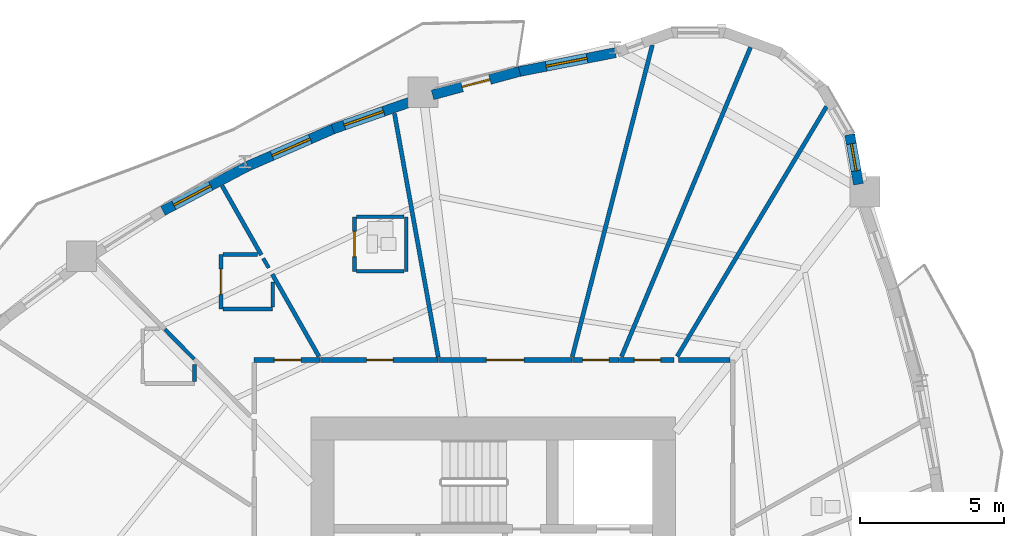
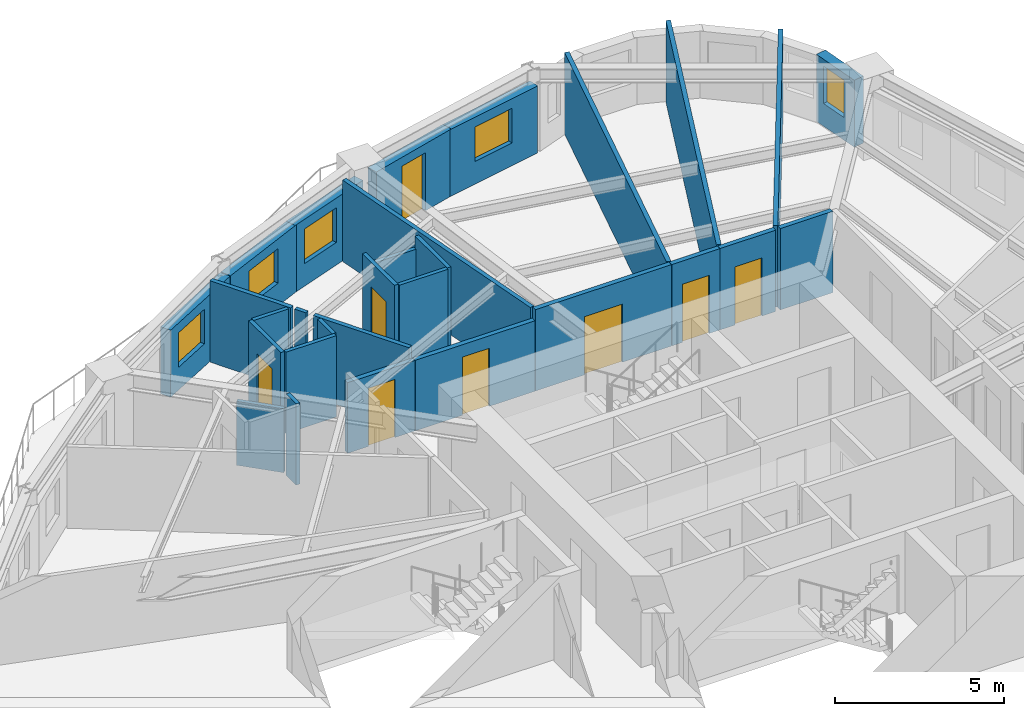
# One storey, part 8 of 13: 29 walls, 8 doors, 5 windows, 13 openings.
"""IFC4 building model written with IfcOpenShell, lengths in metres."""

from ifc_helpers import new_model, si_unit, direction, frame, frame_2d, origin, place, context, subcontext, project, spatial, rectangle, extrude, source, transform, mapped, material, layer, layer_set, type_object, element, fill, save


model = new_model("IFC4")

# Units and contexts
model_context = context("Model", 3, precision=1e-05, world=origin(), true_north=direction((0.0, 1.0)))
body_context = subcontext(model_context, "Body", "Model", "MODEL_VIEW")
ifc_project = project(units=[si_unit("LENGTHUNIT", "METRE"), si_unit("AREAUNIT", "SQUARE_METRE"), si_unit("VOLUMEUNIT", "CUBIC_METRE"), si_unit("PLANEANGLEUNIT", "RADIAN"), si_unit("MASSUNIT", "GRAM", prefix="KILO")], contexts=[model_context])

# Site, building, storey
site_placement = place(None, origin())
site = spatial("IfcSite", under=ifc_project, at=site_placement, CompositionType="ELEMENT")
building_placement = place(site_placement, origin())
building = spatial("IfcBuilding", under=site, at=building_placement, Name="Qafzar Sky-Pleat Residences", CompositionType="ELEMENT")
storey_placement = place(building_placement, frame((0.0, 0.0, 52.60009765625)))
storey = spatial("IfcBuildingStorey", under=building, at=storey_placement, Name="L15", CompositionType="ELEMENT", Elevation=52.60009765625)

# Wall, opening, door
ifc_material_1 = material(Name="Acoustic gypsum plasterboard partition", Category="gypsum")
ifc_layer_1 = layer(ifc_material_1, 0.159912109375)
ifc_layer_set_1 = layer_set([ifc_layer_1], Name="Acoustic gypsum plasterboard partition")
wall_type_1 = type_object("IfcWallType", Name="PART-COR-160", PredefinedType="PARTITIONING", material=ifc_layer_set_1)
wall_1_placement = place(storey_placement, frame((28.43310546875, 36.580078125, 0.0), z_axis=(0.0, 0.0, 1.0), x_axis=(1.0, 0.0, 0.0)))
wall_1 = element("IfcWall", 1, at=wall_1_placement, inside=storey, type_object=wall_type_1, Name="L15 Partition Wall PART-L15-PW-004", PredefinedType="PARTITIONING", context=body_context, shape_type="SweptSolid", body=[
    extrude(rectangle(XDim=4.65087890625, YDim=0.159912109375, at=frame_2d((2.325439453125, 0.0))), origin(), (0.0, 0.0, 1.0), 2.93994140625),
])
opening_1_placement = place(wall_1_placement, frame((1.675537109375, 0.0, 0.0)))
opening_1 = element("IfcOpeningElement", 2, at=opening_1_placement, cuts=wall_1, Name="Opening ID-05", PredefinedType="OPENING", context=body_context, shape_type="SweptSolid", body=[
    extrude(rectangle(XDim=1.300048828125, YDim=2.10009765625, at=frame_2d((0.64990234375, 1.050048828125))), frame((0.0, 0.08984375, 0.0), z_axis=(0.0, -1.0, 0.0), x_axis=(1.0, 0.0, 0.0)), (0.0, 0.0, 1.0), 0.179931640625),
])
ifc_material_2 = material(Name="Timber-faced fire door", Category="wood")
door_type_1 = type_object("IfcDoorType", Name="DR-LNG-1300", OperationType="DOUBLE_DOOR_SINGLE_SWING", PredefinedType="DOOR", material=ifc_material_2)
shared_shape_1 = source(origin(), body_context, "Body", "SweptSolid", [
    extrude(rectangle(XDim=1.300048828125, YDim=2.10009765625, at=frame_2d((0.64990234375, 1.050048828125))), frame((0.0, 0.02490234375, 0.0), z_axis=(0.0, -1.0, 0.0), x_axis=(1.0, 0.0, 0.0)), (0.0, 0.0, 1.0), 0.050048828125),
])
door_1_placement = place(opening_1_placement, origin())
door_1 = element("IfcDoor", 3, at=door_1_placement, inside=storey, type_object=door_type_1, Name="L15 Tutorial Huddle Room Door", OperationType="DOUBLE_DOOR_SINGLE_SWING", OverallHeight=2.10009765625, OverallWidth=1.300048828125, PredefinedType="DOOR", context=body_context, shape_type="MappedRepresentation", body=[
    mapped(shared_shape_1, transform((0.0, 0.0, 0.0), x_axis=(1.0, 0.0, 0.0), y_axis=(0.0, 1.0, 0.0), z_axis=(0.0, 0.0, 1.0), scale=1.0)),
])
fill(opening_1, door_1)

wall_2_placement = place(storey_placement, frame((24.3291015625, 36.580078125, 0.0), z_axis=(0.0, 0.0, 1.0), x_axis=(1.0, 0.0, 0.0)))
wall_2 = element("IfcWall", 4, at=wall_2_placement, inside=storey, type_object=wall_type_1, Name="L15 Partition Wall PART-L15-PW-005", PredefinedType="PARTITIONING", context=body_context, shape_type="SweptSolid", body=[
    extrude(rectangle(XDim=4.0888671875, YDim=0.159912109375, at=frame_2d((2.04443359375, 0.0))), origin(), (0.0, 0.0, 1.0), 2.5478515625),
])
opening_2_placement = place(wall_2_placement, frame((1.6083984375, 0.0, 0.0)))
opening_2 = element("IfcOpeningElement", 5, at=opening_2_placement, cuts=wall_2, Name="Opening ID-04", PredefinedType="OPENING", context=body_context, shape_type="SweptSolid", body=[
    extrude(rectangle(XDim=0.919921875, YDim=2.10009765625, at=frame_2d((0.4599609375, 1.050048828125))), frame((0.0, 0.08984375, 0.0), z_axis=(0.0, -1.0, 0.0), x_axis=(1.0, 0.0, 0.0)), (0.0, 0.0, 1.0), 0.179931640625),
])
door_type_2 = type_object("IfcDoorType", Name="DR-BED-920", OperationType="NOTDEFINED", PredefinedType="DOOR", material=ifc_material_2)
shared_shape_2 = source(origin(), body_context, "Body", "SweptSolid", [
    extrude(rectangle(XDim=0.919921875, YDim=2.10009765625, at=frame_2d((0.4599609375, 1.050048828125))), frame((0.0, 0.02490234375, 0.0), z_axis=(0.0, -1.0, 0.0), x_axis=(1.0, 0.0, 0.0)), (0.0, 0.0, 1.0), 0.050048828125),
])
door_2_placement = place(opening_2_placement, origin())
door_2 = element("IfcDoor", 6, at=door_2_placement, inside=storey, type_object=door_type_2, Name="L15 Co-Living Bedroom 7 Door", OperationType="SINGLE_SWING_LEFT", OverallHeight=2.10009765625, OverallWidth=0.919921875, PredefinedType="DOOR", context=body_context, shape_type="MappedRepresentation", body=[
    mapped(shared_shape_2, transform((0.0, 0.0, 0.0), x_axis=(1.0, 0.0, 0.0), y_axis=(0.0, 1.0, 0.0), z_axis=(0.0, 0.0, 1.0), scale=1.0)),
])
fill(opening_2, door_2)

wall_3_placement = place(storey_placement, frame((22.02001953125, 36.580078125, 0.0), z_axis=(0.0, 0.0, 1.0), x_axis=(1.0, 0.0, 0.0)))
wall_3 = element("IfcWall", 7, at=wall_3_placement, inside=storey, type_object=wall_type_1, Name="L15 Partition Wall PART-L15-PW-013", PredefinedType="PARTITIONING", context=body_context, shape_type="SweptSolid", body=[
    extrude(rectangle(XDim=2.2939453125, YDim=0.159912109375, at=frame_2d((1.14697265625, 0.0))), origin(), (0.0, 0.0, 1.0), 2.5478515625),
])
opening_3_placement = place(wall_3_placement, frame((0.702880859375, 0.0, 0.0)))
opening_3 = element("IfcOpeningElement", 8, at=opening_3_placement, cuts=wall_3, Name="Opening ID-04", PredefinedType="OPENING", context=body_context, shape_type="SweptSolid", body=[
    extrude(rectangle(XDim=0.919921875, YDim=2.10009765625, at=frame_2d((0.4599609375, 1.050048828125))), frame((0.0, 0.08984375, 0.0), z_axis=(0.0, -1.0, 0.0), x_axis=(1.0, 0.0, 0.0)), (0.0, 0.0, 1.0), 0.179931640625),
])
door_3_placement = place(opening_3_placement, origin())
door_3 = element("IfcDoor", 9, at=door_3_placement, inside=storey, type_object=door_type_2, Name="L15 Co-Living Bedroom 9 Door", OperationType="SINGLE_SWING_LEFT", OverallHeight=2.10009765625, OverallWidth=0.919921875, PredefinedType="DOOR", context=body_context, shape_type="MappedRepresentation", body=[
    mapped(shared_shape_2, transform((0.0, 0.0, 0.0), x_axis=(1.0, 0.0, 0.0), y_axis=(0.0, 1.0, 0.0), z_axis=(0.0, 0.0, 1.0), scale=1.0)),
])
fill(opening_3, door_3)

wall_4_placement = place(storey_placement, frame((34.74609375, 36.580078125, 0.0), z_axis=(0.0, 0.0, 1.0), x_axis=(1.0, 0.0, 0.0)))
wall_4 = element("IfcWall", 10, at=wall_4_placement, inside=storey, type_object=wall_type_1, Name="L15 Partition Wall PART-L15-PW-022", PredefinedType="PARTITIONING", context=body_context, shape_type="SweptSolid", body=[
    extrude(rectangle(XDim=1.89794921875, YDim=0.159912109375, at=frame_2d((0.948974609375, 0.0))), origin(), (0.0, 0.0, 1.0), 2.93994140625),
])
opening_4_placement = place(wall_4_placement, frame((0.513427734375, 0.0, 0.0)))
opening_4 = element("IfcOpeningElement", 11, at=opening_4_placement, cuts=wall_4, Name="Opening ID-04", PredefinedType="OPENING", context=body_context, shape_type="SweptSolid", body=[
    extrude(rectangle(XDim=0.919921875, YDim=2.10009765625, at=frame_2d((0.4599609375, 1.050048828125))), frame((0.0, 0.08984375, 0.0), z_axis=(0.0, -1.0, 0.0), x_axis=(1.0, 0.0, 0.0)), (0.0, 0.0, 1.0), 0.179931640625),
])
door_4_placement = place(opening_4_placement, origin())
door_4 = element("IfcDoor", 12, at=door_4_placement, inside=storey, type_object=door_type_2, Name="L15 Co-Living Bedroom 6 Door", OperationType="SINGLE_SWING_RIGHT", OverallHeight=2.10009765625, OverallWidth=0.919921875, PredefinedType="DOOR", context=body_context, shape_type="MappedRepresentation", body=[
    mapped(shared_shape_2, transform((0.0, 0.0, 0.0), x_axis=(1.0, 0.0, 0.0), y_axis=(0.0, 1.0, 0.0), z_axis=(0.0, 0.0, 1.0), scale=1.0)),
])
fill(opening_4, door_4)

wall_5_placement = place(storey_placement, frame((33.09912109375, 36.580078125, 0.0), z_axis=(0.0, 0.0, 1.0), x_axis=(1.0, 0.0, 0.0)))
wall_5 = element("IfcWall", 13, at=wall_5_placement, inside=storey, type_object=wall_type_1, Name="L15 Partition Wall PART-L15-PW-026", PredefinedType="PARTITIONING", context=body_context, shape_type="SweptSolid", body=[
    extrude(rectangle(XDim=1.6318359375, YDim=0.159912109375, at=frame_2d((0.81591796875, 0.0))), origin(), (0.0, 0.0, 1.0), 2.93994140625),
])
opening_5_placement = place(wall_5_placement, frame((0.3564453125, 0.0, 0.0)))
opening_5 = element("IfcOpeningElement", 14, at=opening_5_placement, cuts=wall_5, Name="Opening ID-04", PredefinedType="OPENING", context=body_context, shape_type="SweptSolid", body=[
    extrude(rectangle(XDim=0.919921875, YDim=2.10009765625, at=frame_2d((0.4599609375, 1.050048828125))), frame((0.0, 0.08984375, 0.0), z_axis=(0.0, -1.0, 0.0), x_axis=(1.0, 0.0, 0.0)), (0.0, 0.0, 1.0), 0.179931640625),
])
door_5_placement = place(opening_5_placement, origin())
door_5 = element("IfcDoor", 15, at=door_5_placement, inside=storey, type_object=door_type_2, Name="L15 Co-Living Bedroom 5 Door", OperationType="SINGLE_SWING_RIGHT", OverallHeight=2.10009765625, OverallWidth=0.919921875, PredefinedType="DOOR", context=body_context, shape_type="MappedRepresentation", body=[
    mapped(shared_shape_2, transform((0.0, 0.0, 0.0), x_axis=(1.0, 0.0, 0.0), y_axis=(0.0, 1.0, 0.0), z_axis=(0.0, 0.0, 1.0), scale=1.0)),
])
fill(opening_5, door_5)

# Walls
wall_6_placement = place(storey_placement, frame((36.79931640625, 36.580078125, 0.0), z_axis=(0.0, 0.0, 1.0), x_axis=(1.0, 0.0, 0.0)))
element("IfcWall", 16, at=wall_6_placement, inside=storey, type_object=wall_type_1, Name="L15 Partition Wall PART-L15-PW-058", PredefinedType="PARTITIONING", context=body_context, shape_type="SweptSolid", body=[
    extrude(rectangle(XDim=1.792724609375, YDim=0.159912109375, at=frame_2d((0.896484375, 0.0))), origin(), (0.0, 0.0, 1.0), 2.93994140625),
])
ifc_layer_2 = layer(ifc_material_1, 0.14501953125)
ifc_layer_set_2 = layer_set([ifc_layer_2], Name="Acoustic gypsum plasterboard partition")
wall_type_2 = type_object("IfcWallType", Name="PART-UNIT-145", PredefinedType="PARTITIONING", material=ifc_layer_set_2)
wall_7_placement = place(storey_placement, frame((34.81103515625, 36.6953125, 0.0), z_axis=(0.0, 0.0, 1.0), x_axis=(0.384925700713, 0.922947563479, 0.0)))
element("IfcWall", 17, at=wall_7_placement, inside=storey, type_object=wall_type_2, Name="L15 Partition Wall PART-L15-PW-032", PredefinedType="PARTITIONING", context=body_context, shape_type="SweptSolid", body=[
    extrude(rectangle(XDim=11.6748046875, YDim=0.14501953125, at=frame_2d((5.83740234375, 0.0))), origin(), (0.0, 0.0, 1.0), 2.93994140625),
])
wall_8_placement = place(storey_placement, frame((33.09521484375, 36.685791015625, 0.0), z_axis=(0.0, 0.0, 1.0), x_axis=(0.24882519125, 0.96854841087, 0.0)))
element("IfcWall", 18, at=wall_8_placement, inside=storey, type_object=wall_type_2, Name="L15 Partition Wall PART-L15-PW-034", PredefinedType="PARTITIONING", context=body_context, shape_type="SweptSolid", body=[
    extrude(rectangle(XDim=11.2158203125, YDim=0.14501953125, at=frame_2d((5.60791015625, 0.0))), origin(), (0.0, 0.0, 1.0), 2.93994140625),
])
wall_9_placement = place(storey_placement, frame((36.750244140625, 36.7041015625, 0.0), z_axis=(0.0, 0.0, 1.0), x_axis=(0.51326307339, 0.858231330991, 0.0)))
element("IfcWall", 19, at=wall_9_placement, inside=storey, type_object=wall_type_2, Name="L15 Partition Wall PART-L15-PW-038", PredefinedType="PARTITIONING", context=body_context, shape_type="SweptSolid", body=[
    extrude(rectangle(XDim=10.14013671875, YDim=0.14501953125, at=frame_2d((5.070068359375, 0.0))), origin(), (0.0, 0.0, 1.0), 2.93994140625),
])
wall_10_placement = place(storey_placement, frame((26.9052734375, 45.16650390625, 0.0), z_axis=(0.0, 0.0, 1.0), x_axis=(0.176948932403, -0.984220033997, 0.0)))
element("IfcWall", 20, at=wall_10_placement, inside=storey, type_object=wall_type_2, Name="L15 Partition Wall PART-L15-PW-039", PredefinedType="PARTITIONING", context=body_context, shape_type="SweptSolid", body=[
    extrude(rectangle(XDim=8.621826171875, YDim=0.14501953125, at=frame_2d((4.31103515625, 0.0))), origin(), (0.0, 0.0, 1.0), 2.93994140625),
])
wall_11_placement = place(storey_placement, frame((22.65087890625, 39.56689453125, 0.0), z_axis=(0.0, 0.0, 1.0), x_axis=(0.493566118786, -0.8697082766, 0.0)))
element("IfcWall", 21, at=wall_11_placement, inside=storey, type_object=wall_type_2, Name="L15 Partition Wall PART-L15-PW-050", PredefinedType="PARTITIONING", context=body_context, shape_type="SweptSolid", body=[
    extrude(rectangle(XDim=3.29345703125, YDim=0.14501953125, at=frame_2d((1.646728515625, 0.0))), origin(), (0.0, 0.0, 1.0), 2.93994140625),
])
wall_12_placement = place(storey_placement, frame((20.901123046875, 42.651123046875, 0.0), z_axis=(0.0, 0.0, 1.0), x_axis=(0.4934166236, -0.86979309928, 0.0)))
element("IfcWall", 22, at=wall_12_placement, inside=storey, type_object=wall_type_2, Name="L15 Partition Wall PART-L15-PW-054", PredefinedType="PARTITIONING", context=body_context, shape_type="SweptSolid", body=[
    extrude(rectangle(XDim=2.7744140625, YDim=0.14501953125, at=frame_2d((1.38720703125, 0.0))), origin(), (0.0, 0.0, 1.0), 2.93994140625),
])

# Wall, opening, door
ifc_material_3 = material(Name="Moisture-resistant gypsum partition", Category="gypsum")
ifc_layer_3 = layer(ifc_material_3, 0.1298828125)
ifc_layer_set_3 = layer_set([ifc_layer_3], Name="Moisture-resistant gypsum partition")
wall_type_3 = type_object("IfcWallType", Name="PART-WET-130", PredefinedType="PARTITIONING", material=ifc_layer_set_3)
wall_13_placement = place(storey_placement, frame((25.511962890625, 41.568115234375, 0.0), z_axis=(0.0, 0.0, 1.0), x_axis=(0.0, -1.0, 0.0)))
wall_13 = element("IfcWall", 23, at=wall_13_placement, inside=storey, type_object=wall_type_3, Name="L15 Partition Wall PART-L15-PW-018", PredefinedType="PARTITIONING", context=body_context, shape_type="SweptSolid", body=[
    extrude(rectangle(XDim=1.900146484375, YDim=0.1298828125, at=frame_2d((0.9501953125, 0.0))), origin(), (0.0, 0.0, 1.0), 2.93994140625),
])
opening_6_placement = place(wall_13_placement, frame((0.510009765625, 0.0, 0.0)))
opening_6 = element("IfcOpeningElement", 24, at=opening_6_placement, cuts=wall_13, Name="Opening ID-07", PredefinedType="OPENING", context=body_context, shape_type="SweptSolid", body=[
    extrude(rectangle(XDim=0.8798828125, YDim=2.050048828125, at=frame_2d((0.43994140625, 1.02490234375))), frame((0.0, 0.074951171875, 0.0), z_axis=(0.0, -1.0, 0.0), x_axis=(1.0, 0.0, 0.0)), (0.0, 0.0, 1.0), 0.14990234375),
])
door_type_3 = type_object("IfcDoorType", Name="DR-WET-880", OperationType="NOTDEFINED", PredefinedType="DOOR", material=ifc_material_2)
shared_shape_3 = source(origin(), body_context, "Body", "SweptSolid", [
    extrude(rectangle(XDim=0.8798828125, YDim=2.050048828125, at=frame_2d((0.43994140625, 1.02490234375))), frame((0.0, 0.02490234375, 0.0), z_axis=(0.0, -1.0, 0.0), x_axis=(1.0, 0.0, 0.0)), (0.0, 0.0, 1.0), 0.050048828125),
])
door_6_placement = place(opening_6_placement, origin())
door_6 = element("IfcDoor", 25, at=door_6_placement, inside=storey, type_object=door_type_3, Name="L15 En-suite Bathroom 7 Door", OperationType="SINGLE_SWING_RIGHT", OverallHeight=2.050048828125, OverallWidth=0.8798828125, PredefinedType="DOOR", context=body_context, shape_type="MappedRepresentation", body=[
    mapped(shared_shape_3, transform((0.0, 0.0, 0.0), x_axis=(1.0, 0.0, 0.0), y_axis=(0.0, 1.0, 0.0), z_axis=(0.0, 0.0, 1.0), scale=1.0)),
])
fill(opening_6, door_6)

wall_14_placement = place(storey_placement, frame((20.865966796875, 40.2529296875, 0.0), z_axis=(0.0, 0.0, 1.0), x_axis=(0.0, -1.0, 0.0)))
wall_14 = element("IfcWall", 26, at=wall_14_placement, inside=storey, type_object=wall_type_3, Name="L15 Partition Wall PART-L15-PW-020", PredefinedType="PARTITIONING", context=body_context, shape_type="SweptSolid", body=[
    extrude(rectangle(XDim=1.89990234375, YDim=0.1298828125, at=frame_2d((0.949951171875, 0.0))), origin(), (0.0, 0.0, 1.0), 2.93994140625),
])
opening_7_placement = place(wall_14_placement, frame((0.510009765625, 0.0, 0.0)))
opening_7 = element("IfcOpeningElement", 27, at=opening_7_placement, cuts=wall_14, Name="Opening ID-07", PredefinedType="OPENING", context=body_context, shape_type="SweptSolid", body=[
    extrude(rectangle(XDim=0.8798828125, YDim=2.050048828125, at=frame_2d((0.43994140625, 1.02490234375))), frame((0.0, 0.074951171875, 0.0), z_axis=(0.0, -1.0, 0.0), x_axis=(1.0, 0.0, 0.0)), (0.0, 0.0, 1.0), 0.14990234375),
])
door_7_placement = place(opening_7_placement, origin())
door_7 = element("IfcDoor", 28, at=door_7_placement, inside=storey, type_object=door_type_3, Name="L15 En-suite Bathroom 9 Door", OperationType="SINGLE_SWING_RIGHT", OverallHeight=2.050048828125, OverallWidth=0.8798828125, PredefinedType="DOOR", context=body_context, shape_type="MappedRepresentation", body=[
    mapped(shared_shape_3, transform((0.0, 0.0, 0.0), x_axis=(1.0, 0.0, 0.0), y_axis=(0.0, 1.0, 0.0), z_axis=(0.0, 0.0, 1.0), scale=1.0)),
])
fill(opening_7, door_7)

# Walls
wall_15_placement = place(storey_placement, frame((27.31201171875, 39.66796875, 0.0), z_axis=(0.0, 0.0, 1.0), x_axis=(0.0, 1.0, 0.0)))
element("IfcWall", 29, at=wall_15_placement, inside=storey, type_object=wall_type_3, Name="L15 Partition Wall PART-L15-PW-059", PredefinedType="PARTITIONING", context=body_context, shape_type="SweptSolid", body=[
    extrude(rectangle(XDim=1.900146484375, YDim=0.1298828125, at=frame_2d((0.9501953125, 0.0))), origin(), (0.0, 0.0, 1.0), 2.93994140625),
])
wall_16_placement = place(storey_placement, frame((25.5849609375, 41.568115234375, 0.0), z_axis=(0.0, 0.0, 1.0), x_axis=(1.0, 0.0, 0.0)))
element("IfcWall", 30, at=wall_16_placement, inside=storey, type_object=wall_type_3, Name="L15 Partition Wall PART-L15-PW-062", PredefinedType="PARTITIONING", context=body_context, shape_type="SweptSolid", body=[
    extrude(rectangle(XDim=1.654052734375, YDim=0.1298828125, at=frame_2d((0.8271484375, 0.0))), origin(), (0.0, 0.0, 1.0), 2.5078125),
])
wall_17_placement = place(storey_placement, frame((25.5849609375, 39.66796875, 0.0), z_axis=(0.0, 0.0, 1.0), x_axis=(1.0, 0.0, 0.0)))
element("IfcWall", 31, at=wall_17_placement, inside=storey, type_object=wall_type_3, Name="L15 Partition Wall PART-L15-PW-063", PredefinedType="PARTITIONING", context=body_context, shape_type="SweptSolid", body=[
    extrude(rectangle(XDim=1.654052734375, YDim=0.1298828125, at=frame_2d((0.8271484375, 0.0))), origin(), (0.0, 0.0, 1.0), 2.93994140625),
])
wall_18_placement = place(storey_placement, frame((20.93896484375, 38.35302734375, 0.0), z_axis=(0.0, 0.0, 1.0), x_axis=(1.0, 0.0, 0.0)))
element("IfcWall", 32, at=wall_18_placement, inside=storey, type_object=wall_type_3, Name="L15 Partition Wall PART-L15-PW-064", PredefinedType="PARTITIONING", context=body_context, shape_type="SweptSolid", body=[
    extrude(rectangle(XDim=1.72705078125, YDim=0.1298828125, at=frame_2d((0.863525390625, 0.0))), origin(), (0.0, 0.0, 1.0), 2.93994140625),
])
wall_19_placement = place(storey_placement, frame((18.910400390625, 37.6533203125, 0.0), z_axis=(0.0, 0.0, 1.0), x_axis=(0.700686611827, -0.713469180838, 0.0)))
element("IfcWall", 33, at=wall_19_placement, inside=storey, type_object=wall_type_3, Name="L15 Partition Wall PART-L15-PW-080", PredefinedType="PARTITIONING", context=body_context, shape_type="SweptSolid", body=[
    extrude(rectangle(XDim=1.45166015625, YDim=0.1298828125, at=frame_2d((0.725830078125, 0.0))), origin(), (0.0, 0.0, 1.0), 2.307861328125),
])
wall_20_placement = place(storey_placement, frame((20.93896484375, 40.2529296875, 0.0), z_axis=(0.0, 0.0, 1.0), x_axis=(1.0, 0.0, 0.0)))
element("IfcWall", 34, at=wall_20_placement, inside=storey, type_object=wall_type_3, Name="L15 Partition Wall PART-L15-PW-081", PredefinedType="PARTITIONING", context=body_context, shape_type="SweptSolid", body=[
    extrude(rectangle(XDim=1.19482421875, YDim=0.1298828125, at=frame_2d((0.597412109375, 0.0))), origin(), (0.0, 0.0, 1.0), 2.93994140625),
])
wall_21_placement = place(storey_placement, frame((22.666015625, 38.426025390625, 0.0), z_axis=(0.0, 0.0, 1.0), x_axis=(0.0, 1.0, 0.0)))
element("IfcWall", 35, at=wall_21_placement, inside=storey, type_object=wall_type_3, Name="L15 Partition Wall PART-L15-PW-084", PredefinedType="PARTITIONING", context=body_context, shape_type="SweptSolid", body=[
    extrude(rectangle(XDim=0.8740234375, YDim=0.1298828125, at=frame_2d((0.43701171875, 0.0))), origin(), (0.0, 0.0, 1.0), 2.93994140625),
])
wall_22_placement = place(storey_placement, frame((19.93798828125, 35.8369140625, 0.0), z_axis=(0.0, 0.0, 1.0), x_axis=(0.0, 1.0, 0.0)))
element("IfcWall", 36, at=wall_22_placement, inside=storey, type_object=wall_type_3, Name="L15 Partition Wall PART-L15-PW-085", PredefinedType="PARTITIONING", context=body_context, shape_type="SweptSolid", body=[
    extrude(rectangle(XDim=0.59228515625, YDim=0.1298828125, at=frame_2d((0.296142578125, 0.0))), origin(), (0.0, 0.0, 1.0), 2.93994140625),
])
wall_23_placement = place(storey_placement, frame((22.33642578125, 40.12109375, 0.0), z_axis=(0.0, 0.0, 1.0), x_axis=(0.493383408092, -0.86981194095, 0.0)))
element("IfcWall", 37, at=wall_23_placement, inside=storey, type_object=wall_type_3, Name="L15 Partition Wall PART-L15-PW-087", PredefinedType="PARTITIONING", context=body_context, shape_type="SweptSolid", body=[
    extrude(rectangle(XDim=0.382080078125, YDim=0.1298828125, at=frame_2d((0.19091796875, 0.0))), origin(), (0.0, 0.0, 1.0), 2.93994140625),
])

# Wall, opening, window
ifc_material_4 = material(Name="Precast concrete C40/50 with honed Riyadh limestone", Category="concrete")
ifc_layer_4 = layer(ifc_material_4, 0.35009765625)
ifc_layer_set_4 = layer_set([ifc_layer_4], Name="Precast concrete C40/50 with honed Riyadh limestone")
wall_type_4 = type_object("IfcWallType", Name="WALL-EXT-350", PredefinedType="SOLIDWALL", material=ifc_layer_set_4)
wall_24_placement = place(storey_placement, frame((43.065673828125, 42.702392578125, 0.0), z_axis=(0.0, 0.0, 1.0), x_axis=(-0.173745591742, 0.984790571315, 0.0)))
wall_24 = element("IfcWall", 38, at=wall_24_placement, inside=storey, type_object=wall_type_4, Name="L15 Limestone Facade Wall 33", PredefinedType="SOLIDWALL", context=body_context, shape_type="SweptSolid", body=[
    extrude(rectangle(XDim=1.752197265625, YDim=0.35009765625, at=frame_2d((0.8759765625, 0.0))), origin(), (0.0, 0.0, 1.0), 2.419921875),
])
opening_8_placement = place(wall_24_placement, frame((0.476318359375, 0.0, 0.820068359375)))
opening_8 = element("IfcOpeningElement", 39, at=opening_8_placement, cuts=wall_24, Name="Opening WN-12", PredefinedType="OPENING", context=body_context, shape_type="SweptSolid", body=[
    extrude(rectangle(XDim=0.949951171875, YDim=1.35009765625, at=frame_2d((0.47509765625, 0.675048828125))), frame((0.0, 0.18505859375, 0.0), z_axis=(0.0, -1.0, 0.0), x_axis=(1.0, 0.0, 0.0)), (0.0, 0.0, 1.0), 0.3701171875),
])
ifc_material_5 = material(Name="Solar-control low-E glass in bronze aluminium frame", Category="glass")
window_type_1 = type_object("IfcWindowType", Name="WIN-12", PartitioningType="SINGLE_PANEL", PredefinedType="WINDOW", material=ifc_material_5)
shared_shape_4 = source(origin(), body_context, "Body", "SweptSolid", [
    extrude(rectangle(XDim=0.949951171875, YDim=1.35009765625, at=frame_2d((0.47509765625, 0.675048828125))), frame((0.0, 0.030029296875, 0.0), z_axis=(0.0, -1.0, 0.0), x_axis=(1.0, 0.0, 0.0)), (0.0, 0.0, 1.0), 0.06005859375),
])
window_1_placement = place(opening_8_placement, origin())
window_1 = element("IfcWindow", 40, at=window_1_placement, inside=storey, type_object=window_type_1, Name="L15 Punched Facade Window 33", OverallHeight=1.35009765625, OverallWidth=0.949951171875, PartitioningType="SINGLE_PANEL", PredefinedType="WINDOW", context=body_context, shape_type="MappedRepresentation", body=[
    mapped(shared_shape_4, transform((0.0, 0.0, 0.0), x_axis=(1.0, 0.0, 0.0), y_axis=(0.0, 1.0, 0.0), z_axis=(0.0, 0.0, 1.0), scale=1.0)),
])
fill(opening_8, window_1)

wall_25_placement = place(storey_placement, frame((34.60400390625, 47.284423828125, 0.0), z_axis=(0.0, 0.0, 1.0), x_axis=(-0.981236541068, -0.192807807086, 0.0)))
wall_25 = element("IfcWall", 41, at=wall_25_placement, inside=storey, type_object=wall_type_4, Name="L15 Limestone Facade Wall 39", PredefinedType="SOLIDWALL", context=body_context, shape_type="SweptSolid", body=[
    extrude(rectangle(XDim=3.4921875, YDim=0.35009765625, at=frame_2d((1.74609375, 0.0))), origin(), (0.0, 0.0, 1.0), 2.419921875),
])
opening_9_placement = place(wall_25_placement, frame((1.01123046875, 0.0, 0.820068359375)))
opening_9 = element("IfcOpeningElement", 42, at=opening_9_placement, cuts=wall_25, Name="Opening WN-15", PredefinedType="OPENING", context=body_context, shape_type="SweptSolid", body=[
    extrude(rectangle(XDim=1.449951171875, YDim=1.25, at=frame_2d((0.72509765625, 0.625))), frame((0.0, 0.18505859375, 0.0), z_axis=(0.0, -1.0, 0.0), x_axis=(1.0, 0.0, 0.0)), (0.0, 0.0, 1.0), 0.3701171875),
])
window_type_2 = type_object("IfcWindowType", Name="WIN-15", PartitioningType="SINGLE_PANEL", PredefinedType="WINDOW", material=ifc_material_5)
shared_shape_5 = source(origin(), body_context, "Body", "SweptSolid", [
    extrude(rectangle(XDim=1.449951171875, YDim=1.25, at=frame_2d((0.72509765625, 0.625))), frame((0.0, 0.030029296875, 0.0), z_axis=(0.0, -1.0, 0.0), x_axis=(1.0, 0.0, 0.0)), (0.0, 0.0, 1.0), 0.06005859375),
])
window_2_placement = place(opening_9_placement, origin())
window_2 = element("IfcWindow", 43, at=window_2_placement, inside=storey, type_object=window_type_2, Name="L15 Punched Facade Window 39", OverallHeight=1.25, OverallWidth=1.449951171875, PartitioningType="SINGLE_PANEL", PredefinedType="WINDOW", context=body_context, shape_type="MappedRepresentation", body=[
    mapped(shared_shape_5, transform((0.0, 0.0, 0.0), x_axis=(1.0, 0.0, 0.0), y_axis=(0.0, 1.0, 0.0), z_axis=(0.0, 0.0, 1.0), scale=1.0)),
])
fill(opening_9, window_2)

# Wall, opening, door
wall_26_placement = place(storey_placement, frame((31.26318359375, 46.631103515625, 0.0), z_axis=(0.0, 0.0, 1.0), x_axis=(-0.965460187066, -0.260550623086, 0.0)))
wall_26 = element("IfcWall", 44, at=wall_26_placement, inside=storey, type_object=wall_type_4, Name="L15 Limestone Facade Wall 40", PredefinedType="SOLIDWALL", context=body_context, shape_type="SweptSolid", body=[
    extrude(rectangle(XDim=3.139892578125, YDim=0.35009765625, at=frame_2d((1.56982421875, 0.0))), origin(), (0.0, 0.0, 1.0), 2.419921875),
])
opening_10_placement = place(wall_26_placement, frame((1.06982421875, 0.0, 0.0)))
opening_10 = element("IfcOpeningElement", 45, at=opening_10_placement, cuts=wall_26, Name="Opening ED-05", PredefinedType="OPENING", context=body_context, shape_type="SweptSolid", body=[
    extrude(rectangle(XDim=1.0, YDim=2.10009765625, at=frame_2d((0.5, 1.050048828125))), frame((0.0, 0.18505859375, 0.0), z_axis=(0.0, -1.0, 0.0), x_axis=(1.0, 0.0, 0.0)), (0.0, 0.0, 1.0), 0.3701171875),
])
ifc_material_6 = material(Name="Glazed bronze aluminium door", Category="aluminium")
door_type_4 = type_object("IfcDoorType", Name="DR-BAL-1000", OperationType="NOTDEFINED", PredefinedType="DOOR", material=ifc_material_6)
shared_shape_6 = source(origin(), body_context, "Body", "SweptSolid", [
    extrude(rectangle(XDim=1.0, YDim=2.10009765625, at=frame_2d((0.5, 1.050048828125))), frame((0.0, 0.02490234375, 0.0), z_axis=(0.0, -1.0, 0.0), x_axis=(1.0, 0.0, 0.0)), (0.0, 0.0, 1.0), 0.050048828125),
])
door_8_placement = place(opening_10_placement, origin())
door_8 = element("IfcDoor", 46, at=door_8_placement, inside=storey, type_object=door_type_4, Name="L15 Glazed Balcony Door 2", OperationType="SINGLE_SWING_LEFT", OverallHeight=2.10009765625, OverallWidth=1.0, PredefinedType="DOOR", context=body_context, shape_type="MappedRepresentation", body=[
    mapped(shared_shape_6, transform((0.0, 0.0, 0.0), x_axis=(1.0, 0.0, 0.0), y_axis=(0.0, 1.0, 0.0), z_axis=(0.0, 0.0, 1.0), scale=1.0)),
])
fill(opening_10, door_8)

# Wall, opening, window
wall_27_placement = place(storey_placement, frame((27.6708984375, 45.6396484375, 0.0), z_axis=(0.0, 0.0, 1.0), x_axis=(-0.944140624307, -0.329542837175, 0.0)))
wall_27 = element("IfcWall", 47, at=wall_27_placement, inside=storey, type_object=wall_type_4, Name="L15 Limestone Facade Wall 41", PredefinedType="SOLIDWALL", context=body_context, shape_type="SweptSolid", body=[
    extrude(rectangle(XDim=3.084228515625, YDim=0.35009765625, at=frame_2d((1.5419921875, 0.0))), origin(), (0.0, 0.0, 1.0), 2.419921875),
])
opening_11_placement = place(wall_27_placement, frame((1.214111328125, 0.0, 0.820068359375)))
opening_11 = element("IfcOpeningElement", 48, at=opening_11_placement, cuts=wall_27, Name="Opening WN-15", PredefinedType="OPENING", context=body_context, shape_type="SweptSolid", body=[
    extrude(rectangle(XDim=1.449951171875, YDim=1.25, at=frame_2d((0.72509765625, 0.625))), frame((0.0, 0.18505859375, 0.0), z_axis=(0.0, -1.0, 0.0), x_axis=(1.0, 0.0, 0.0)), (0.0, 0.0, 1.0), 0.3701171875),
])
window_3_placement = place(opening_11_placement, origin())
window_3 = element("IfcWindow", 49, at=window_3_placement, inside=storey, type_object=window_type_2, Name="L15 Punched Facade Window 41-2", OverallHeight=1.25, OverallWidth=1.449951171875, PartitioningType="SINGLE_PANEL", PredefinedType="WINDOW", context=body_context, shape_type="MappedRepresentation", body=[
    mapped(shared_shape_5, transform((0.0, 0.0, 0.0), x_axis=(1.0, 0.0, 0.0), y_axis=(0.0, 1.0, 0.0), z_axis=(0.0, 0.0, 1.0), scale=1.0)),
])
fill(opening_11, window_3)

wall_28_placement = place(storey_placement, frame((24.841796875, 44.655517578125, 0.0), z_axis=(0.0, 0.0, 1.0), x_axis=(-0.917071223009, -0.398723427866, 0.0)))
wall_28 = element("IfcWall", 50, at=wall_28_placement, inside=storey, type_object=wall_type_4, Name="L15 Limestone Facade Wall 42", PredefinedType="SOLIDWALL", context=body_context, shape_type="SweptSolid", body=[
    extrude(rectangle(XDim=3.32666015625, YDim=0.35009765625, at=frame_2d((1.663330078125, 0.0))), origin(), (0.0, 0.0, 1.0), 2.419921875),
])
opening_12_placement = place(wall_28_placement, frame((0.948486328125, 0.0, 0.820068359375)))
opening_12 = element("IfcOpeningElement", 51, at=opening_12_placement, cuts=wall_28, Name="Opening WN-15", PredefinedType="OPENING", context=body_context, shape_type="SweptSolid", body=[
    extrude(rectangle(XDim=1.449951171875, YDim=1.25, at=frame_2d((0.72509765625, 0.625))), frame((0.0, 0.18505859375, 0.0), z_axis=(0.0, -1.0, 0.0), x_axis=(1.0, 0.0, 0.0)), (0.0, 0.0, 1.0), 0.3701171875),
])
window_4_placement = place(opening_12_placement, origin())
window_4 = element("IfcWindow", 52, at=window_4_placement, inside=storey, type_object=window_type_2, Name="L15 Punched Facade Window 42", OverallHeight=1.25, OverallWidth=1.449951171875, PartitioningType="SINGLE_PANEL", PredefinedType="WINDOW", context=body_context, shape_type="MappedRepresentation", body=[
    mapped(shared_shape_5, transform((0.0, 0.0, 0.0), x_axis=(1.0, 0.0, 0.0), y_axis=(0.0, 1.0, 0.0), z_axis=(0.0, 0.0, 1.0), scale=1.0)),
])
fill(opening_12, window_4)

wall_29_placement = place(storey_placement, frame((21.766845703125, 43.317626953125, 0.0), z_axis=(0.0, 0.0, 1.0), x_axis=(-0.884379674805, -0.466768240984, 0.0)))
wall_29 = element("IfcWall", 53, at=wall_29_placement, inside=storey, type_object=wall_type_4, Name="L15 Limestone Facade Wall 43", PredefinedType="SOLIDWALL", context=body_context, shape_type="SweptSolid", body=[
    extrude(rectangle(XDim=3.3076171875, YDim=0.35009765625, at=frame_2d((1.65380859375, 0.0))), origin(), (0.0, 0.0, 1.0), 2.419921875),
])
opening_13_placement = place(wall_29_placement, frame((1.427734375, 0.0, 0.820068359375)))
opening_13 = element("IfcOpeningElement", 54, at=opening_13_placement, cuts=wall_29, Name="Opening WN-15", PredefinedType="OPENING", context=body_context, shape_type="SweptSolid", body=[
    extrude(rectangle(XDim=1.449951171875, YDim=1.25, at=frame_2d((0.72509765625, 0.625))), frame((0.0, 0.18505859375, 0.0), z_axis=(0.0, -1.0, 0.0), x_axis=(1.0, 0.0, 0.0)), (0.0, 0.0, 1.0), 0.3701171875),
])
window_5_placement = place(opening_13_placement, origin())
window_5 = element("IfcWindow", 55, at=window_5_placement, inside=storey, type_object=window_type_2, Name="L15 Punched Facade Window 43-2", OverallHeight=1.25, OverallWidth=1.449951171875, PartitioningType="SINGLE_PANEL", PredefinedType="WINDOW", context=body_context, shape_type="MappedRepresentation", body=[
    mapped(shared_shape_5, transform((0.0, 0.0, 0.0), x_axis=(1.0, 0.0, 0.0), y_axis=(0.0, 1.0, 0.0), z_axis=(0.0, 0.0, 1.0), scale=1.0)),
])
fill(opening_13, window_5)

save(model, "model.ifc")
